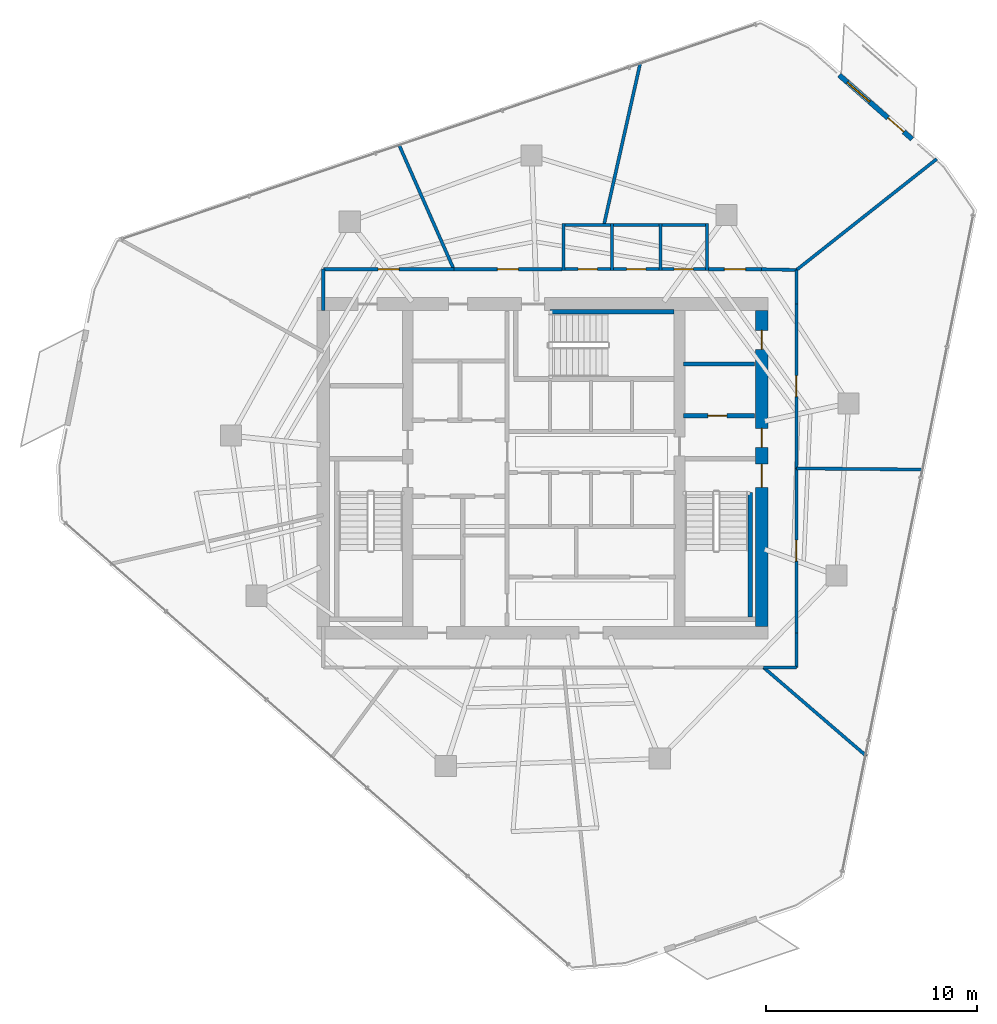
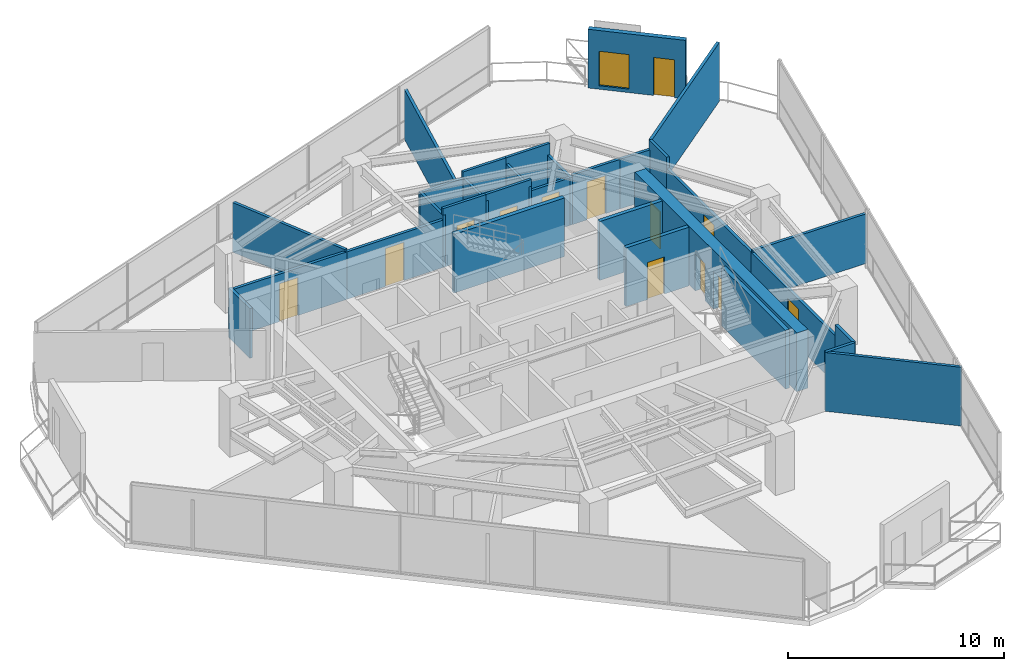
# One storey, part 17 of 20: 31 walls, 13 doors, 1 window, 14 openings.
"""IFC4 building model written with IfcOpenShell, lengths in metres."""

from ifc_helpers import new_model, si_unit, direction, frame, frame_2d, origin, place, context, subcontext, project, spatial, rectangle, extrude, material, layer, layer_set, type_object, element, fill, save


model = new_model("IFC4")

# Units and contexts
model_context = context("Model", 3, precision=1e-05, world=origin(), true_north=direction((0.0, 1.0)))
body_context = subcontext(model_context, "Body", "Model", "MODEL_VIEW")
ifc_project = project(units=[si_unit("LENGTHUNIT", "METRE"), si_unit("AREAUNIT", "SQUARE_METRE"), si_unit("VOLUMEUNIT", "CUBIC_METRE"), si_unit("PLANEANGLEUNIT", "RADIAN"), si_unit("MASSUNIT", "GRAM", prefix="KILO")], contexts=[model_context])

# Site, building, storey
site_placement = place(None, origin())
site = spatial("IfcSite", under=ifc_project, at=site_placement, CompositionType="ELEMENT")
building_placement = place(site_placement, origin())
building = spatial("IfcBuilding", under=site, at=building_placement, Name="Qarnah Convention Tower", CompositionType="ELEMENT")
storey_placement = place(building_placement, frame((0.0, 0.0, 136.5)))
storey = spatial("IfcBuildingStorey", under=building, at=storey_placement, Name="L36", CompositionType="ELEMENT", Elevation=136.5)

# Wall, openings, doors
ifc_material_1 = material(Name="Concrete C60/75", Category="concrete")
ifc_layer_1 = layer(ifc_material_1, 0.60009765625)
ifc_layer_set_1 = layer_set([ifc_layer_1], Name="Concrete C60/75")
wall_type_1 = type_object("IfcWallType", Name="WL-CORE-600", PredefinedType="SHEAR", material=ifc_layer_set_1)
wall_1_placement = place(storey_placement, frame((47.60009765625, 18.89990234375, 0.0), z_axis=(0.0, 0.0, 1.0), x_axis=(0.0, 1.0, 0.0)))
wall_1 = element("IfcWall", 1, at=wall_1_placement, inside=storey, type_object=wall_type_1, Name="L36 core east shear wall", PredefinedType="SHEAR", context=body_context, shape_type="SweptSolid", body=[
    extrude(rectangle(XDim=15.0, YDim=0.60009765625, at=frame_2d((7.5, 0.0))), origin(), (0.0, 0.0, 1.0), 3.320068359375),
])
opening_1_placement = place(wall_1_placement, frame((6.60009765625, 0.0, 0.0)))
opening_1 = element("IfcOpeningElement", 2, at=opening_1_placement, cuts=wall_1, Name="Opening D-3602", PredefinedType="OPENING", context=body_context, shape_type="SweptSolid", body=[
    extrude(rectangle(XDim=1.10009765625, YDim=2.14990234375, at=frame_2d((0.550048828125, 1.074951171875))), frame((0.0, 0.31005859375, 0.0), z_axis=(0.0, -1.0, 0.0), x_axis=(1.0, 0.0, 0.0)), (0.0, 0.0, 1.0), 0.6201171875),
])
opening_2_placement = place(wall_1_placement, frame((8.5, 0.0, 0.0)))
opening_2 = element("IfcOpeningElement", 3, at=opening_2_placement, cuts=wall_1, Name="Opening D-3606", PredefinedType="OPENING", context=body_context, shape_type="SweptSolid", body=[
    extrude(rectangle(XDim=0.89990234375, YDim=2.10009765625, at=frame_2d((0.449951171875, 1.050048828125))), frame((0.0, 0.31005859375, 0.0), z_axis=(0.0, -1.0, 0.0), x_axis=(1.0, 0.0, 0.0)), (0.0, 0.0, 1.0), 0.6201171875),
])
opening_3_placement = place(wall_1_placement, frame((13.14990234375, 0.0, 0.0)))
opening_3 = element("IfcOpeningElement", 4, at=opening_3_placement, cuts=wall_1, Name="Opening D-3612", PredefinedType="OPENING", context=body_context, shape_type="SweptSolid", body=[
    extrude(rectangle(XDim=0.89990234375, YDim=2.10009765625, at=frame_2d((0.449951171875, 1.050048828125))), frame((0.0, 0.31005859375, 0.0), z_axis=(0.0, -1.0, 0.0), x_axis=(1.0, 0.0, 0.0)), (0.0, 0.0, 1.0), 0.6201171875),
])
ifc_material_2 = material(Name="Structural steel S355JR", Category="steel")
door_type_1 = type_object("IfcDoorType", Name="DT-RISER-900", OperationType="NOTDEFINED", PredefinedType="DOOR", material=ifc_material_2)
door_1_placement = place(opening_2_placement, origin())
door_1 = element("IfcDoor", 5, at=door_1_placement, inside=storey, type_object=door_type_1, Name="Door D-3606", OperationType="SINGLE_SWING_LEFT", OverallHeight=2.10009765625, OverallWidth=0.89990234375, PredefinedType="DOOR", context=body_context, shape_type="SweptSolid", body=[
    extrude(rectangle(XDim=0.89990234375, YDim=2.10009765625, at=frame_2d((0.449951171875, 1.050048828125))), frame((0.0, 0.02490234375, 0.0), z_axis=(0.0, -1.0, 0.0), x_axis=(1.0, 0.0, 0.0)), (0.0, 0.0, 1.0), 0.050048828125),
])
fill(opening_2, door_1)
door_2_placement = place(opening_3_placement, origin())
door_2 = element("IfcDoor", 6, at=door_2_placement, inside=storey, type_object=door_type_1, Name="Door D-3612", OperationType="SINGLE_SWING_LEFT", OverallHeight=2.10009765625, OverallWidth=0.89990234375, PredefinedType="DOOR", context=body_context, shape_type="SweptSolid", body=[
    extrude(rectangle(XDim=0.89990234375, YDim=2.10009765625, at=frame_2d((0.449951171875, 1.050048828125))), frame((0.0, 0.02490234375, 0.0), z_axis=(0.0, -1.0, 0.0), x_axis=(1.0, 0.0, 0.0)), (0.0, 0.0, 1.0), 0.050048828125),
])
fill(opening_3, door_2)
door_type_2 = type_object("IfcDoorType", Name="DT-STAIR-1100", OperationType="NOTDEFINED", PredefinedType="DOOR", material=ifc_material_2)
door_3_placement = place(opening_1_placement, origin())
door_3 = element("IfcDoor", 7, at=door_3_placement, inside=storey, type_object=door_type_2, Name="Door D-3602", OperationType="SINGLE_SWING_LEFT", OverallHeight=2.14990234375, OverallWidth=1.10009765625, PredefinedType="DOOR", context=body_context, shape_type="SweptSolid", body=[
    extrude(rectangle(XDim=1.10009765625, YDim=2.14990234375, at=frame_2d((0.550048828125, 1.074951171875))), frame((0.0, 0.02490234375, 0.0), z_axis=(0.0, -1.0, 0.0), x_axis=(1.0, 0.0, 0.0)), (0.0, 0.0, 1.0), 0.050048828125),
])
fill(opening_1, door_3)

# Wall, opening, door
ifc_material_3 = material(Name="Concrete C45/55", Category="concrete")
ifc_layer_2 = layer(ifc_material_3, 0.199951171875)
ifc_layer_set_2 = layer_set([ifc_layer_2], Name="Concrete C45/55")
wall_type_2 = type_object("IfcWallType", Name="WL-CORE-PART-200", PredefinedType="SOLIDWALL", material=ifc_layer_set_2)
wall_2_placement = place(storey_placement, frame((43.89990234375, 28.89990234375, 0.0), z_axis=(0.0, 0.0, 1.0), x_axis=(1.0, 0.0, 0.0)))
wall_2 = element("IfcWall", 8, at=wall_2_placement, inside=storey, type_object=wall_type_2, Name="L36 interior wall IW-L36-EVSTN", PredefinedType="SOLIDWALL", context=body_context, shape_type="SweptSolid", body=[
    extrude(rectangle(XDim=3.35009765625, YDim=0.199951171875, at=frame_2d((1.675048828125, 0.0))), origin(), (0.0, 0.0, 1.0), 3.320068359375),
])
opening_4_placement = place(wall_2_placement, frame((1.14990234375, 0.0, 0.0)))
opening_4 = element("IfcOpeningElement", 9, at=opening_4_placement, cuts=wall_2, Name="Opening D-3611", PredefinedType="OPENING", context=body_context, shape_type="SweptSolid", body=[
    extrude(rectangle(XDim=0.89990234375, YDim=2.10009765625, at=frame_2d((0.449951171875, 1.050048828125))), frame((0.0, 0.10986328125, 0.0), z_axis=(0.0, -1.0, 0.0), x_axis=(1.0, 0.0, 0.0)), (0.0, 0.0, 1.0), 0.219970703125),
])
door_4_placement = place(opening_4_placement, origin())
door_4 = element("IfcDoor", 10, at=door_4_placement, inside=storey, type_object=door_type_1, Name="Door D-3611", OperationType="SINGLE_SWING_RIGHT", OverallHeight=2.10009765625, OverallWidth=0.89990234375, PredefinedType="DOOR", context=body_context, shape_type="SweptSolid", body=[
    extrude(rectangle(XDim=0.89990234375, YDim=2.10009765625, at=frame_2d((0.449951171875, 1.050048828125))), frame((0.0, 0.02490234375, 0.0), z_axis=(0.0, -1.0, 0.0), x_axis=(1.0, 0.0, 0.0)), (0.0, 0.0, 1.0), 0.050048828125),
])
fill(opening_4, door_4)

# Walls
wall_3_placement = place(storey_placement, frame((43.89990234375, 31.35009765625, 0.0), z_axis=(0.0, 0.0, 1.0), x_axis=(1.0, 0.0, 0.0)))
element("IfcWall", 11, at=wall_3_placement, inside=storey, type_object=wall_type_2, Name="L36 interior wall IW-L36-WTRN", PredefinedType="SOLIDWALL", context=body_context, shape_type="SweptSolid", body=[
    extrude(rectangle(XDim=3.35009765625, YDim=0.199951171875, at=frame_2d((1.675048828125, 0.0))), origin(), (0.0, 0.0, 1.0), 3.320068359375),
])
ifc_layer_3 = layer(ifc_material_1, 0.219970703125)
ifc_layer_set_3 = layer_set([ifc_layer_3], Name="Concrete C60/75")
wall_type_3 = type_object("IfcWallType", Name="WL-CORE-STAIR-220", PredefinedType="SHEAR", material=ifc_layer_set_3)
for number, where, z_axis, x_axis, name in (
    (12, (47.06005859375, 19.35009765625, 0.0), (0.0, 0.0, 1.0), (0.0, 1.0, 0.0), "L36 stair shaft shear wall SW-L36-ST2E"),
    (13, (37.550048828125, 33.840087890625, 0.0), (0.0, 0.0, 1.0), (1.0, 0.0, 0.0), "L36 stair shaft shear wall SW-L36-ST3N"),
):
    element("IfcWall", number, at=place(storey_placement, frame(where, z_axis=z_axis, x_axis=x_axis)), inside=storey, type_object=wall_type_3, Name=name, PredefinedType="SHEAR", context=body_context, shape_type="SweptSolid", body=[
        extrude(rectangle(XDim=5.89990234375, YDim=0.219970703125, at=frame_2d((2.949951171875, 0.0))), origin(), (0.0, 0.0, 1.0), 3.320068359375),
    ])

# Wall, openings, door, window
ifc_material_4 = material(Name="Precast concrete C45/55", Category="concrete")
ifc_layer_4 = layer(ifc_material_4, 0.239990234375)
ifc_layer_set_4 = layer_set([ifc_layer_4], Name="Precast concrete C45/55")
wall_type_4 = type_object("IfcWallType", Name="WL-EXT-BAL-240", PredefinedType="SOLIDWALL", material=ifc_layer_set_4)
wall_4_placement = place(storey_placement, frame((51.278076171875, 45.05810546875, 0.0), z_axis=(0.0, 0.0, 1.0), x_axis=(0.751471028712, -0.659766089615, 0.0)))
wall_4 = element("IfcWall", 14, at=wall_4_placement, inside=storey, type_object=wall_type_4, Name="L36 loggia threshold wall BAL-L36-C1", PredefinedType="SOLIDWALL", context=body_context, shape_type="SweptSolid", body=[
    extrude(rectangle(XDim=4.600341796875, YDim=0.239990234375, at=frame_2d((2.30029296875, 0.0))), origin(), (0.0, 0.0, 1.0), 3.320068359375),
])
opening_5_placement = place(wall_4_placement, frame((3.080078125, 0.0, 0.0)))
opening_5 = element("IfcOpeningElement", 15, at=opening_5_placement, cuts=wall_4, Name="Opening BD-3601", PredefinedType="OPENING", context=body_context, shape_type="SweptSolid", body=[
    extrude(rectangle(XDim=1.0, YDim=2.14990234375, at=frame_2d((0.5, 1.074951171875))), frame((0.0, 0.1298828125, 0.0), z_axis=(0.0, -1.0, 0.0), x_axis=(1.0, 0.0, 0.0)), (0.0, 0.0, 1.0), 0.260009765625),
])
opening_6_placement = place(wall_4_placement, frame((0.52001953125, 0.0, 0.199951171875)))
opening_6 = element("IfcOpeningElement", 16, at=opening_6_placement, cuts=wall_4, Name="Opening WN4", PredefinedType="OPENING", context=body_context, shape_type="SweptSolid", body=[
    extrude(rectangle(XDim=1.39990234375, YDim=1.949951171875, at=frame_2d((0.699951171875, 0.97509765625))), frame((0.0, 0.1298828125, 0.0), z_axis=(0.0, -1.0, 0.0), x_axis=(1.0, 0.0, 0.0)), (0.0, 0.0, 1.0), 0.260009765625),
])
ifc_material_5 = material(Name="Black anodised aluminium", Category="aluminium")
door_type_3 = type_object("IfcDoorType", Name="DT-BAL-1000", OperationType="NOTDEFINED", PredefinedType="DOOR", material=ifc_material_5)
door_5_placement = place(opening_5_placement, origin())
door_5 = element("IfcDoor", 17, at=door_5_placement, inside=storey, type_object=door_type_3, Name="L36 balcony terrace door BAL-L36-C1", OperationType="SINGLE_SWING_LEFT", OverallHeight=2.14990234375, OverallWidth=1.0, PredefinedType="DOOR", context=body_context, shape_type="SweptSolid", body=[
    extrude(rectangle(XDim=1.0, YDim=2.14990234375, at=frame_2d((0.5, 1.074951171875))), frame((0.0, 0.02490234375, 0.0), z_axis=(0.0, -1.0, 0.0), x_axis=(1.0, 0.0, 0.0)), (0.0, 0.0, 1.0), 0.050048828125),
])
fill(opening_5, door_5)
ifc_material_6 = material(Name="Tempered Low-E dark glass", Category="glass")
window_type = type_object("IfcWindowType", Name="WT-BAL-1400X2000", PartitioningType="SINGLE_PANEL", PredefinedType="WINDOW", material=ifc_material_6)
window_placement = place(opening_6_placement, origin())
window = element("IfcWindow", 18, at=window_placement, inside=storey, type_object=window_type, Name="Window BW-BAL-L36-C1", OverallHeight=1.949951171875, OverallWidth=1.39990234375, PartitioningType="SINGLE_PANEL", PredefinedType="WINDOW", context=body_context, shape_type="SweptSolid", body=[
    extrude(rectangle(XDim=1.39990234375, YDim=1.949951171875, at=frame_2d((0.699951171875, 0.97509765625))), frame((0.0, 0.030029296875, 0.0), z_axis=(0.0, -1.0, 0.0), x_axis=(1.0, 0.0, 0.0)), (0.0, 0.0, 1.0), 0.06005859375),
])
fill(opening_6, window)

# Walls
ifc_material_7 = material(Name="Gypsum partition board")
ifc_layer_5 = layer(ifc_material_7, 0.14990234375)
ifc_layer_set_5 = layer_set([ifc_layer_5], Name="Gypsum partition board")
wall_type_5 = type_object("IfcWallType", Name="WL-SUITE-150", PredefinedType="PARTITIONING", material=ifc_layer_set_5)
wall_5_placement = place(storey_placement, frame((55.904052734375, 41.0791015625, 0.0), z_axis=(0.0, 0.0, 1.0), x_axis=(-0.784198077794, -0.620510575884, 0.0)))
element("IfcWall", 19, at=wall_5_placement, inside=storey, type_object=wall_type_5, Name="L36 interior wall IW-L36-R-11", PredefinedType="PARTITIONING", context=body_context, shape_type="SweptSolid", body=[
    extrude(rectangle(XDim=8.485107421875, YDim=0.14990234375, at=frame_2d((4.24267578125, 0.0))), origin(), (0.0, 0.0, 1.0), 3.320068359375),
])
wall_6_placement = place(storey_placement, frame((49.25, 35.81396484375, 0.0), z_axis=(0.0, 0.0, 1.0), x_axis=(0.0, -1.0, 0.0)))
element("IfcWall", 20, at=wall_6_placement, inside=storey, type_object=wall_type_5, Name="L36 interior wall IW-L36-R-12", PredefinedType="PARTITIONING", context=body_context, shape_type="SweptSolid", body=[
    extrude(rectangle(XDim=1.614013671875, YDim=0.14990234375, at=frame_2d((0.80712890625, 0.0))), origin(), (0.0, 0.0, 1.0), 3.320068359375),
])

# Wall, opening, door
wall_7_placement = place(storey_placement, frame((49.25, 34.199951171875, 0.0), z_axis=(0.0, 0.0, 1.0), x_axis=(0.0, -1.0, 0.0)))
wall_7 = element("IfcWall", 21, at=wall_7_placement, inside=storey, type_object=wall_type_5, Name="L36 interior wall IW-L36-R-13", PredefinedType="PARTITIONING", context=body_context, shape_type="SweptSolid", body=[
    extrude(rectangle(XDim=7.800048828125, YDim=0.14990234375, at=frame_2d((3.89990234375, 0.0))), origin(), (0.0, 0.0, 1.0), 2.68701171875),
])
opening_7_placement = place(wall_7_placement, frame((3.39990234375, 0.0, 0.0)))
opening_7 = element("IfcOpeningElement", 22, at=opening_7_placement, cuts=wall_7, Name="Opening D-3621", PredefinedType="OPENING", context=body_context, shape_type="SweptSolid", body=[
    extrude(rectangle(XDim=1.0, YDim=2.14990234375, at=frame_2d((0.5, 1.074951171875))), frame((0.0, 0.0849609375, 0.0), z_axis=(0.0, -1.0, 0.0), x_axis=(1.0, 0.0, 0.0)), (0.0, 0.0, 1.0), 0.169921875),
])
ifc_material_8 = material(Name="Oak timber veneer", Category="wood")
door_type_4 = type_object("IfcDoorType", Name="DT-OFFICE-1000", OperationType="NOTDEFINED", PredefinedType="DOOR", material=ifc_material_8)
door_6_placement = place(opening_7_placement, origin())
door_6 = element("IfcDoor", 23, at=door_6_placement, inside=storey, type_object=door_type_4, Name="Door D-3621", OperationType="SINGLE_SWING_RIGHT", OverallHeight=2.14990234375, OverallWidth=1.0, PredefinedType="DOOR", context=body_context, shape_type="SweptSolid", body=[
    extrude(rectangle(XDim=1.0, YDim=2.14990234375, at=frame_2d((0.5, 1.074951171875))), frame((0.0, 0.02490234375, 0.0), z_axis=(0.0, -1.0, 0.0), x_axis=(1.0, 0.0, 0.0)), (0.0, 0.0, 1.0), 0.050048828125),
])
fill(opening_7, door_6)

# Walls
wall_8_placement = place(storey_placement, frame((49.25, 26.39990234375, 0.0), z_axis=(0.0, 0.0, 1.0), x_axis=(0.999958411846, -0.009120009836, 0.0)))
element("IfcWall", 24, at=wall_8_placement, inside=storey, type_object=wall_type_5, Name="L36 interior wall IW-L36-R-14", PredefinedType="PARTITIONING", context=body_context, shape_type="SweptSolid", body=[
    extrude(rectangle(XDim=6.023193359375, YDim=0.14990234375, at=frame_2d((3.01171875, 0.0))), origin(), (0.0, 0.0, 1.0), 2.804931640625),
])
wall_9_placement = place(storey_placement, frame((41.84912109375, 45.6689453125, 0.0), z_axis=(0.0, 0.0, 1.0), x_axis=(-0.219194227137, -0.975681244459, 0.0)))
element("IfcWall", 25, at=wall_9_placement, inside=storey, type_object=wall_type_5, Name="L36 interior wall IW-L36-R-15", PredefinedType="PARTITIONING", context=body_context, shape_type="SweptSolid", body=[
    extrude(rectangle(XDim=7.911376953125, YDim=0.14990234375, at=frame_2d((3.95556640625, 0.0))), origin(), (0.0, 0.0, 1.0), 2.804931640625),
])

# Wall, opening, door
wall_10_placement = place(storey_placement, frame((45.070068359375, 35.85009765625, 0.0), z_axis=(0.0, 0.0, 1.0), x_axis=(1.0, 0.0, 0.0)))
wall_10 = element("IfcWall", 26, at=wall_10_placement, inside=storey, type_object=wall_type_5, Name="L36 interior wall IW-L36-R-16", PredefinedType="PARTITIONING", context=body_context, shape_type="SweptSolid", body=[
    extrude(rectangle(XDim=2.530029296875, YDim=0.14990234375, at=frame_2d((1.26513671875, 0.0))), origin(), (0.0, 0.0, 1.0), 2.804931640625),
])
opening_8_placement = place(wall_10_placement, frame((0.764892578125, 0.0, 0.0)))
opening_8 = element("IfcOpeningElement", 27, at=opening_8_placement, cuts=wall_10, Name="Opening D-3622", PredefinedType="OPENING", context=body_context, shape_type="SweptSolid", body=[
    extrude(rectangle(XDim=1.0, YDim=2.14990234375, at=frame_2d((0.5, 1.074951171875))), frame((0.0, 0.0849609375, 0.0), z_axis=(0.0, -1.0, 0.0), x_axis=(1.0, 0.0, 0.0)), (0.0, 0.0, 1.0), 0.169921875),
])
door_7_placement = place(opening_8_placement, origin())
door_7 = element("IfcDoor", 28, at=door_7_placement, inside=storey, type_object=door_type_4, Name="Door D-3622", OperationType="SINGLE_SWING_LEFT", OverallHeight=2.14990234375, OverallWidth=1.0, PredefinedType="DOOR", context=body_context, shape_type="SweptSolid", body=[
    extrude(rectangle(XDim=1.0, YDim=2.14990234375, at=frame_2d((0.5, 1.074951171875))), frame((0.0, 0.02490234375, 0.0), z_axis=(0.0, -1.0, 0.0), x_axis=(1.0, 0.0, 0.0)), (0.0, 0.0, 1.0), 0.050048828125),
])
fill(opening_8, door_7)

# Walls
wall_11_placement = place(storey_placement, frame((47.60009765625, 35.85009765625, 0.0), z_axis=(0.0, 0.0, 1.0), x_axis=(0.999760281873, -0.021894720586, 0.0)))
element("IfcWall", 29, at=wall_11_placement, inside=storey, type_object=wall_type_5, Name="L36 interior wall IW-L36-R-17", PredefinedType="PARTITIONING", context=body_context, shape_type="SweptSolid", body=[
    extrude(rectangle(XDim=1.650390625, YDim=0.14990234375, at=frame_2d((0.8251953125, 0.0))), origin(), (0.0, 0.0, 1.0), 2.804931640625),
])
wall_12_placement = place(storey_placement, frame((30.385009765625, 41.77099609375, 0.0), z_axis=(0.0, 0.0, 1.0), x_axis=(0.403090141423, -0.91516027989, 0.0)))
element("IfcWall", 30, at=wall_12_placement, inside=storey, type_object=wall_type_5, Name="L36 interior wall IW-L36-R-18", PredefinedType="PARTITIONING", context=body_context, shape_type="SweptSolid", body=[
    extrude(rectangle(XDim=6.4697265625, YDim=0.14990234375, at=frame_2d((3.23486328125, 0.0))), origin(), (0.0, 0.0, 1.0), 2.804931640625),
])

# Wall, opening, door
wall_13_placement = place(storey_placement, frame((32.992919921875, 35.85009765625, 0.0), z_axis=(0.0, 0.0, 1.0), x_axis=(1.0, 0.0, 0.0)))
wall_13 = element("IfcWall", 31, at=wall_13_placement, inside=storey, type_object=wall_type_5, Name="L36 interior wall IW-L36-R-19", PredefinedType="PARTITIONING", context=body_context, shape_type="SweptSolid", body=[
    extrude(rectangle(XDim=5.136962890625, YDim=0.14990234375, at=frame_2d((2.568359375, 0.0))), origin(), (0.0, 0.0, 1.0), 2.68701171875),
])
opening_9_placement = place(wall_13_placement, frame((2.068115234375, 0.0, 0.0)))
opening_9 = element("IfcOpeningElement", 32, at=opening_9_placement, cuts=wall_13, Name="Opening D-3623", PredefinedType="OPENING", context=body_context, shape_type="SweptSolid", body=[
    extrude(rectangle(XDim=1.0, YDim=2.14990234375, at=frame_2d((0.5, 1.074951171875))), frame((0.0, 0.0849609375, 0.0), z_axis=(0.0, -1.0, 0.0), x_axis=(1.0, 0.0, 0.0)), (0.0, 0.0, 1.0), 0.169921875),
])
door_8_placement = place(opening_9_placement, origin())
door_8 = element("IfcDoor", 33, at=door_8_placement, inside=storey, type_object=door_type_4, Name="Door D-3623", OperationType="SINGLE_SWING_RIGHT", OverallHeight=2.14990234375, OverallWidth=1.0, PredefinedType="DOOR", context=body_context, shape_type="SweptSolid", body=[
    extrude(rectangle(XDim=1.0, YDim=2.14990234375, at=frame_2d((0.5, 1.074951171875))), frame((0.0, 0.02490234375, 0.0), z_axis=(0.0, -1.0, 0.0), x_axis=(1.0, 0.0, 0.0)), (0.0, 0.0, 1.0), 0.050048828125),
])
fill(opening_9, door_8)

# Wall
wall_14_placement = place(storey_placement, frame((26.800048828125, 33.89990234375, 0.0), z_axis=(0.0, 0.0, 1.0), x_axis=(0.0, 1.0, 0.0)))
element("IfcWall", 34, at=wall_14_placement, inside=storey, type_object=wall_type_5, Name="L36 interior wall IW-L36-R-21", PredefinedType="PARTITIONING", context=body_context, shape_type="SweptSolid", body=[
    extrude(rectangle(XDim=1.9501953125, YDim=0.14990234375, at=frame_2d((0.97509765625, 0.0))), origin(), (0.0, 0.0, 1.0), 2.804931640625),
])

# Wall, opening, door
wall_15_placement = place(storey_placement, frame((26.800048828125, 35.85009765625, 0.0), z_axis=(0.0, 0.0, 1.0), x_axis=(1.0, 0.0, 0.0)))
wall_15 = element("IfcWall", 35, at=wall_15_placement, inside=storey, type_object=wall_type_5, Name="L36 interior wall IW-L36-R-22", PredefinedType="PARTITIONING", context=body_context, shape_type="SweptSolid", body=[
    extrude(rectangle(XDim=6.19287109375, YDim=0.14990234375, at=frame_2d((3.096435546875, 0.0))), origin(), (0.0, 0.0, 1.0), 2.68701171875),
])
opening_10_placement = place(wall_15_placement, frame((2.596923828125, 0.0, 0.0)))
opening_10 = element("IfcOpeningElement", 36, at=opening_10_placement, cuts=wall_15, Name="Opening D-3624", PredefinedType="OPENING", context=body_context, shape_type="SweptSolid", body=[
    extrude(rectangle(XDim=1.0, YDim=2.14990234375, at=frame_2d((0.5, 1.074951171875))), frame((0.0, 0.0849609375, 0.0), z_axis=(0.0, -1.0, 0.0), x_axis=(1.0, 0.0, 0.0)), (0.0, 0.0, 1.0), 0.169921875),
])
door_9_placement = place(opening_10_placement, origin())
door_9 = element("IfcDoor", 37, at=door_9_placement, inside=storey, type_object=door_type_4, Name="Door D-3624", OperationType="SINGLE_SWING_LEFT", OverallHeight=2.14990234375, OverallWidth=1.0, PredefinedType="DOOR", context=body_context, shape_type="SweptSolid", body=[
    extrude(rectangle(XDim=1.0, YDim=2.14990234375, at=frame_2d((0.5, 1.074951171875))), frame((0.0, 0.02490234375, 0.0), z_axis=(0.0, -1.0, 0.0), x_axis=(1.0, 0.0, 0.0)), (0.0, 0.0, 1.0), 0.050048828125),
])
fill(opening_10, door_9)

# Wall
wall_16_placement = place(storey_placement, frame((52.571044921875, 12.7509765625, 0.0), z_axis=(0.0, 0.0, 1.0), x_axis=(-0.757752126343, 0.652542500549, 0.0)))
element("IfcWall", 38, at=wall_16_placement, inside=storey, type_object=wall_type_5, Name="L36 interior wall IW-L36-R-29", PredefinedType="PARTITIONING", context=body_context, shape_type="SweptSolid", body=[
    extrude(rectangle(XDim=6.434814453125, YDim=0.14990234375, at=frame_2d((3.21728515625, 0.0))), origin(), (0.0, 0.0, 1.0), 3.320068359375),
])

# Wall, opening, door
wall_17_placement = place(storey_placement, frame((49.25, 26.39990234375, 0.0), z_axis=(0.0, 0.0, 1.0), x_axis=(0.0, -1.0, 0.0)))
wall_17 = element("IfcWall", 39, at=wall_17_placement, inside=storey, type_object=wall_type_5, Name="L36 interior wall IW-L36-R-31", PredefinedType="PARTITIONING", context=body_context, shape_type="SweptSolid", body=[
    extrude(rectangle(XDim=7.7998046875, YDim=0.14990234375, at=frame_2d((3.89990234375, 0.0))), origin(), (0.0, 0.0, 1.0), 2.68701171875),
])
opening_11_placement = place(wall_17_placement, frame((3.39990234375, 0.0, 0.0)))
opening_11 = element("IfcOpeningElement", 40, at=opening_11_placement, cuts=wall_17, Name="Opening D-3629", PredefinedType="OPENING", context=body_context, shape_type="SweptSolid", body=[
    extrude(rectangle(XDim=1.0, YDim=2.14990234375, at=frame_2d((0.5, 1.074951171875))), frame((0.0, 0.0849609375, 0.0), z_axis=(0.0, -1.0, 0.0), x_axis=(1.0, 0.0, 0.0)), (0.0, 0.0, 1.0), 0.169921875),
])
door_10_placement = place(opening_11_placement, origin())
door_10 = element("IfcDoor", 41, at=door_10_placement, inside=storey, type_object=door_type_4, Name="Door D-3629", OperationType="SINGLE_SWING_RIGHT", OverallHeight=2.14990234375, OverallWidth=1.0, PredefinedType="DOOR", context=body_context, shape_type="SweptSolid", body=[
    extrude(rectangle(XDim=1.0, YDim=2.14990234375, at=frame_2d((0.5, 1.074951171875))), frame((0.0, 0.02490234375, 0.0), z_axis=(0.0, -1.0, 0.0), x_axis=(1.0, 0.0, 0.0)), (0.0, 0.0, 1.0), 0.050048828125),
])
fill(opening_11, door_10)

# Walls
wall_18_placement = place(storey_placement, frame((49.25, 18.60009765625, 0.0), z_axis=(0.0, 0.0, 1.0), x_axis=(0.0, -1.0, 0.0)))
element("IfcWall", 42, at=wall_18_placement, inside=storey, type_object=wall_type_5, Name="L36 interior wall IW-L36-R-32", PredefinedType="PARTITIONING", context=body_context, shape_type="SweptSolid", body=[
    extrude(rectangle(XDim=1.650146484375, YDim=0.14990234375, at=frame_2d((0.8251953125, 0.0))), origin(), (0.0, 0.0, 1.0), 3.320068359375),
])
wall_19_placement = place(storey_placement, frame((49.25, 16.949951171875, 0.0), z_axis=(0.0, 0.0, 1.0), x_axis=(-1.0, 0.0, 0.0)))
element("IfcWall", 43, at=wall_19_placement, inside=storey, type_object=wall_type_5, Name="L36 interior wall IW-L36-R-33", PredefinedType="PARTITIONING", context=body_context, shape_type="SweptSolid", body=[
    extrude(rectangle(XDim=1.554931640625, YDim=0.14990234375, at=frame_2d((0.77734375, 0.0))), origin(), (0.0, 0.0, 1.0), 3.320068359375),
])

# Wall, opening, door
ifc_layer_6 = layer(ifc_material_7, 0.139892578125)
ifc_layer_set_6 = layer_set([ifc_layer_6], Name="Gypsum partition board")
wall_type_6 = type_object("IfcWallType", Name="WL-WET-140", PredefinedType="PARTITIONING", material=ifc_layer_set_6)
wall_20_placement = place(storey_placement, frame((38.1298828125, 35.85009765625, 0.0), z_axis=(0.0, 0.0, 1.0), x_axis=(1.0, 0.0, 0.0)))
wall_20 = element("IfcWall", 44, at=wall_20_placement, inside=storey, type_object=wall_type_6, Name="L36 interior wall IW-L36-WCM-1", PredefinedType="PARTITIONING", context=body_context, shape_type="SweptSolid", body=[
    extrude(rectangle(XDim=2.440185546875, YDim=0.139892578125, at=frame_2d((1.22021484375, 0.0))), origin(), (0.0, 0.0, 1.0), 3.320068359375),
])
opening_12_placement = place(wall_20_placement, frame((0.760009765625, 0.0, 0.0)))
opening_12 = element("IfcOpeningElement", 45, at=opening_12_placement, cuts=wall_20, Name="Opening D-3618", PredefinedType="OPENING", context=body_context, shape_type="SweptSolid", body=[
    extrude(rectangle(XDim=0.919921875, YDim=2.10009765625, at=frame_2d((0.4599609375, 1.050048828125))), frame((0.0, 0.079833984375, 0.0), z_axis=(0.0, -1.0, 0.0), x_axis=(1.0, 0.0, 0.0)), (0.0, 0.0, 1.0), 0.159912109375),
])
door_type_5 = type_object("IfcDoorType", Name="DT-WC-920", OperationType="NOTDEFINED", PredefinedType="DOOR", material=ifc_material_8)
door_11_placement = place(opening_12_placement, origin())
door_11 = element("IfcDoor", 46, at=door_11_placement, inside=storey, type_object=door_type_5, Name="Door D-3618", OperationType="SINGLE_SWING_LEFT", OverallHeight=2.10009765625, OverallWidth=0.919921875, PredefinedType="DOOR", context=body_context, shape_type="SweptSolid", body=[
    extrude(rectangle(XDim=0.919921875, YDim=2.10009765625, at=frame_2d((0.4599609375, 1.050048828125))), frame((0.0, 0.02490234375, 0.0), z_axis=(0.0, -1.0, 0.0), x_axis=(1.0, 0.0, 0.0)), (0.0, 0.0, 1.0), 0.050048828125),
])
fill(opening_12, door_11)

# Walls
wall_21_placement = place(storey_placement, frame((40.5, 35.780029296875, 0.0), z_axis=(0.0, 0.0, 1.0), x_axis=(0.0, 1.0, 0.0)))
element("IfcWall", 47, at=wall_21_placement, inside=storey, type_object=wall_type_6, Name="L36 interior wall IW-L36-WCM-2", PredefinedType="PARTITIONING", context=body_context, shape_type="SweptSolid", body=[
    extrude(rectangle(XDim=2.239990234375, YDim=0.139892578125, at=frame_2d((1.1201171875, 0.0))), origin(), (0.0, 0.0, 1.0), 2.948974609375),
])
wall_22_placement = place(storey_placement, frame((40.570068359375, 37.949951171875, 0.0), z_axis=(0.0, 0.0, 1.0), x_axis=(-1.0, 0.0, 0.0)))
element("IfcWall", 48, at=wall_22_placement, inside=storey, type_object=wall_type_6, Name="L36 interior wall IW-L36-WCM-3", PredefinedType="PARTITIONING", context=body_context, shape_type="SweptSolid", body=[
    extrude(rectangle(XDim=2.440185546875, YDim=0.139892578125, at=frame_2d((1.22021484375, 0.0))), origin(), (0.0, 0.0, 1.0), 2.948974609375),
])
wall_23_placement = place(storey_placement, frame((38.199951171875, 38.02001953125, 0.0), z_axis=(0.0, 0.0, 1.0), x_axis=(0.0, -1.0, 0.0)))
element("IfcWall", 49, at=wall_23_placement, inside=storey, type_object=wall_type_6, Name="L36 interior wall IW-L36-WCM-4", PredefinedType="PARTITIONING", context=body_context, shape_type="SweptSolid", body=[
    extrude(rectangle(XDim=2.239990234375, YDim=0.139892578125, at=frame_2d((1.1201171875, 0.0))), origin(), (0.0, 0.0, 1.0), 2.948974609375),
])

# Wall, opening, door
wall_24_placement = place(storey_placement, frame((40.429931640625, 35.85009765625, 0.0), z_axis=(0.0, 0.0, 1.0), x_axis=(1.0, 0.0, 0.0)))
wall_24 = element("IfcWall", 50, at=wall_24_placement, inside=storey, type_object=wall_type_6, Name="L36 interior wall IW-L36-WCF-1", PredefinedType="PARTITIONING", context=body_context, shape_type="SweptSolid", body=[
    extrude(rectangle(XDim=2.440185546875, YDim=0.139892578125, at=frame_2d((1.22021484375, 0.0))), origin(), (0.0, 0.0, 1.0), 3.320068359375),
])
opening_13_placement = place(wall_24_placement, frame((0.760009765625, 0.0, 0.0)))
opening_13 = element("IfcOpeningElement", 51, at=opening_13_placement, cuts=wall_24, Name="Opening D-3619", PredefinedType="OPENING", context=body_context, shape_type="SweptSolid", body=[
    extrude(rectangle(XDim=0.919921875, YDim=2.10009765625, at=frame_2d((0.4599609375, 1.050048828125))), frame((0.0, 0.079833984375, 0.0), z_axis=(0.0, -1.0, 0.0), x_axis=(1.0, 0.0, 0.0)), (0.0, 0.0, 1.0), 0.159912109375),
])
door_12_placement = place(opening_13_placement, origin())
door_12 = element("IfcDoor", 52, at=door_12_placement, inside=storey, type_object=door_type_5, Name="Door D-3619", OperationType="SINGLE_SWING_RIGHT", OverallHeight=2.10009765625, OverallWidth=0.919921875, PredefinedType="DOOR", context=body_context, shape_type="SweptSolid", body=[
    extrude(rectangle(XDim=0.919921875, YDim=2.10009765625, at=frame_2d((0.4599609375, 1.050048828125))), frame((0.0, 0.02490234375, 0.0), z_axis=(0.0, -1.0, 0.0), x_axis=(1.0, 0.0, 0.0)), (0.0, 0.0, 1.0), 0.050048828125),
])
fill(opening_13, door_12)

# Walls
wall_25_placement = place(storey_placement, frame((42.800048828125, 35.780029296875, 0.0), z_axis=(0.0, 0.0, 1.0), x_axis=(0.0, 1.0, 0.0)))
element("IfcWall", 53, at=wall_25_placement, inside=storey, type_object=wall_type_6, Name="L36 interior wall IW-L36-WCF-2", PredefinedType="PARTITIONING", context=body_context, shape_type="SweptSolid", body=[
    extrude(rectangle(XDim=2.239990234375, YDim=0.139892578125, at=frame_2d((1.1201171875, 0.0))), origin(), (0.0, 0.0, 1.0), 2.948974609375),
])
wall_26_placement = place(storey_placement, frame((42.8701171875, 37.949951171875, 0.0), z_axis=(0.0, 0.0, 1.0), x_axis=(-1.0, 0.0, 0.0)))
element("IfcWall", 54, at=wall_26_placement, inside=storey, type_object=wall_type_6, Name="L36 interior wall IW-L36-WCF-3", PredefinedType="PARTITIONING", context=body_context, shape_type="SweptSolid", body=[
    extrude(rectangle(XDim=2.440185546875, YDim=0.139892578125, at=frame_2d((1.22021484375, 0.0))), origin(), (0.0, 0.0, 1.0), 3.320068359375),
])

# Wall, opening, door
wall_27_placement = place(storey_placement, frame((42.72998046875, 35.85009765625, 0.0), z_axis=(0.0, 0.0, 1.0), x_axis=(1.0, 0.0, 0.0)))
wall_27 = element("IfcWall", 55, at=wall_27_placement, inside=storey, type_object=wall_type_6, Name="L36 interior wall IW-L36-WCA-1", PredefinedType="PARTITIONING", context=body_context, shape_type="SweptSolid", body=[
    extrude(rectangle(XDim=2.340087890625, YDim=0.139892578125, at=frame_2d((1.169921875, 0.0))), origin(), (0.0, 0.0, 1.0), 2.68701171875),
])
opening_14_placement = place(wall_27_placement, frame((0.7099609375, 0.0, 0.0)))
opening_14 = element("IfcOpeningElement", 56, at=opening_14_placement, cuts=wall_27, Name="Opening D-3620", PredefinedType="OPENING", context=body_context, shape_type="SweptSolid", body=[
    extrude(rectangle(XDim=0.919921875, YDim=2.10009765625, at=frame_2d((0.4599609375, 1.050048828125))), frame((0.0, 0.079833984375, 0.0), z_axis=(0.0, -1.0, 0.0), x_axis=(1.0, 0.0, 0.0)), (0.0, 0.0, 1.0), 0.159912109375),
])
door_13_placement = place(opening_14_placement, origin())
door_13 = element("IfcDoor", 57, at=door_13_placement, inside=storey, type_object=door_type_5, Name="Door D-3620", OperationType="SINGLE_SWING_LEFT", OverallHeight=2.10009765625, OverallWidth=0.919921875, PredefinedType="DOOR", context=body_context, shape_type="SweptSolid", body=[
    extrude(rectangle(XDim=0.919921875, YDim=2.10009765625, at=frame_2d((0.4599609375, 1.050048828125))), frame((0.0, 0.02490234375, 0.0), z_axis=(0.0, -1.0, 0.0), x_axis=(1.0, 0.0, 0.0)), (0.0, 0.0, 1.0), 0.050048828125),
])
fill(opening_14, door_13)

# Walls
wall_28_placement = place(storey_placement, frame((45.0, 35.780029296875, 0.0), z_axis=(0.0, 0.0, 1.0), x_axis=(0.0, 1.0, 0.0)))
element("IfcWall", 58, at=wall_28_placement, inside=storey, type_object=wall_type_6, Name="L36 interior wall IW-L36-WCA-2", PredefinedType="PARTITIONING", context=body_context, shape_type="SweptSolid", body=[
    extrude(rectangle(XDim=2.239990234375, YDim=0.139892578125, at=frame_2d((1.1201171875, 0.0))), origin(), (0.0, 0.0, 1.0), 2.68701171875),
])
wall_29_placement = place(storey_placement, frame((45.070068359375, 37.949951171875, 0.0), z_axis=(0.0, 0.0, 1.0), x_axis=(-1.0, 0.0, 0.0)))
element("IfcWall", 59, at=wall_29_placement, inside=storey, type_object=wall_type_6, Name="L36 interior wall IW-L36-WCA-3", PredefinedType="PARTITIONING", context=body_context, shape_type="SweptSolid", body=[
    extrude(rectangle(XDim=2.340087890625, YDim=0.139892578125, at=frame_2d((1.169921875, 0.0))), origin(), (0.0, 0.0, 1.0), 3.320068359375),
])

save(model, "model.ifc")
